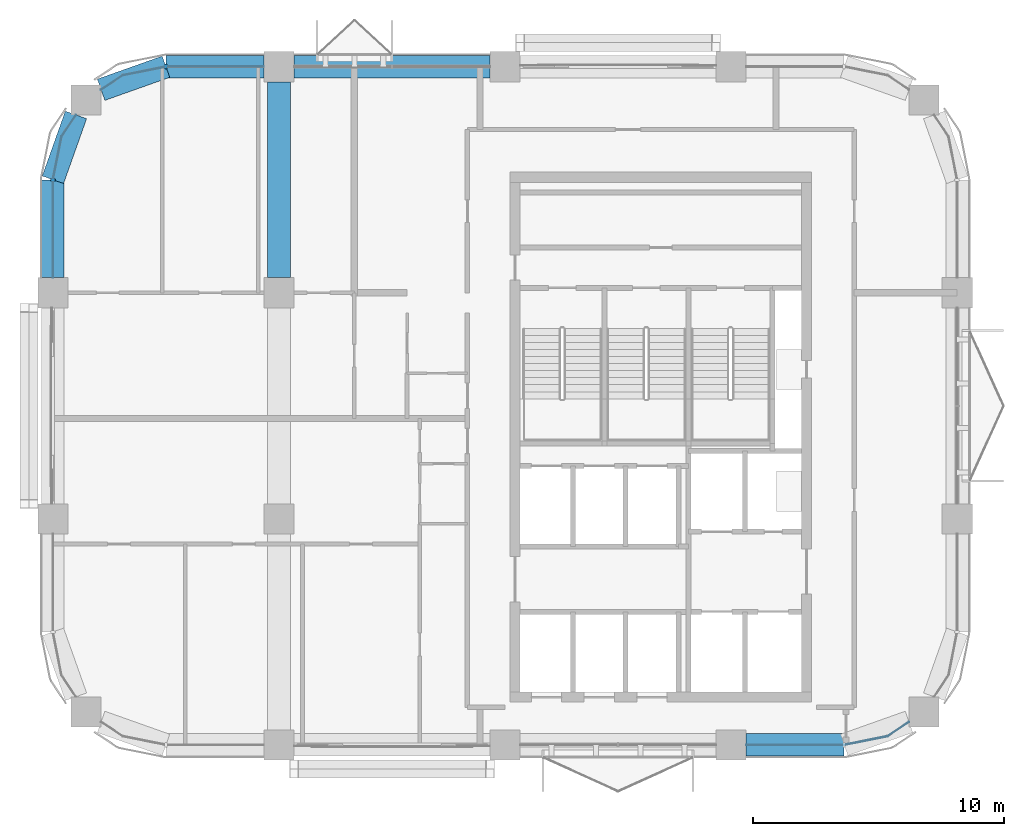
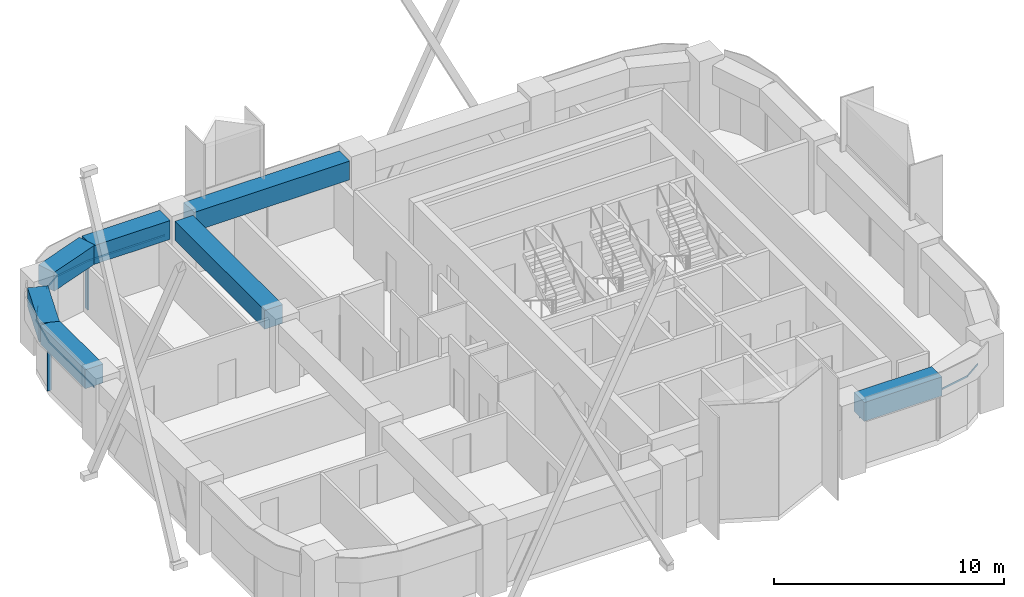
# One storey, part 3 of 11: 7 beams, 5 members, 3 elements without a shape of their own.
"""IFC4 building model written with IfcOpenShell, lengths in metres."""

from ifc_helpers import new_model, si_unit, direction, frame, origin, origin_2d, place, context, subcontext, project, spatial, polyline, rectangle, outline, extrude, material, material_profile, profile_set, type_object, element, aggregate, save


model = new_model("IFC4")

# Units and contexts
model_context = context("Model", 3, precision=1e-05, world=origin(), true_north=direction((0.0, 1.0)))
body_context = subcontext(model_context, "Body", "Model", "MODEL_VIEW")
ifc_project = project(units=[si_unit("LENGTHUNIT", "METRE"), si_unit("AREAUNIT", "SQUARE_METRE"), si_unit("VOLUMEUNIT", "CUBIC_METRE"), si_unit("PLANEANGLEUNIT", "RADIAN"), si_unit("MASSUNIT", "GRAM", prefix="KILO")], contexts=[model_context])

# Site, building, storey
site_placement = place(None, origin())
site = spatial("IfcSite", under=ifc_project, at=site_placement, CompositionType="ELEMENT")
building_placement = place(site_placement, origin())
building = spatial("IfcBuilding", under=site, at=building_placement, Name="Tessera Arch", CompositionType="ELEMENT")
storey_placement = place(building_placement, frame((0.0, 0.0, 250.10009765625)))
storey = spatial("IfcBuildingStorey", under=building, at=storey_placement, Name="L60", CompositionType="ELEMENT", Elevation=250.10009765625)

# Curtain wall, member
ifc_material_1 = material(Name="CW2 curtain wall")
curtain_wall_type = type_object("IfcCurtainWallType", Name="CW2 curtain wall", PredefinedType="NOTDEFINED", material=ifc_material_1)
curtain_wall_1_placement = place(storey_placement, origin())
curtain_wall_1 = element("IfcCurtainWall", 1, at=curtain_wall_1_placement, inside=storey, type_object=curtain_wall_type, Name="CW2 curtain wall N54.18/3 L60", PredefinedType="NOTDEFINED")
ifc_material_2 = material(Name="Anodised aluminium pale metal", Category="aluminium")
ifc_material_profile_1 = material_profile(ifc_material_2, rectangle(XDim=0.199951171875, YDim=0.080078125, at=origin_2d()), Name="AL 80x200")
ifc_profile_set_1 = profile_set([ifc_material_profile_1], Name="Anodised aluminium pale metal")
member_type_1 = type_object("IfcMemberType", Name="CW2 mullion", PredefinedType="MULLION", material=ifc_profile_set_1)
member_1_placement = place(storey_placement, frame((22.5, 54.0, 0.0), z_axis=(0.0, 0.0, 1.0), x_axis=(0.0, -1.0, 0.0)))
member_1 = element("IfcMember", 2, at=member_1_placement, type_object=member_type_1, Name="CW2 mullion N54.18/3 1", PredefinedType="MULLION", context=body_context, shape_type="SweptSolid", body=[
    extrude(rectangle(XDim=0.199951171875, YDim=0.080078125, at=origin_2d()), origin(), (0.0, 0.0, 1.0), 2.5),
])

curtain_wall_2_placement = place(storey_placement, origin())
curtain_wall_2 = element("IfcCurtainWall", 3, at=curtain_wall_2_placement, inside=storey, type_object=curtain_wall_type, Name="CW2 curtain wall W18.27/0 L60", PredefinedType="NOTDEFINED")
member_2_placement = place(storey_placement, frame((18.0, 49.5, 0.0), z_axis=(0.0, 0.0, 1.0), x_axis=(1.0, 0.0, 0.0)))
member_2 = element("IfcMember", 4, at=member_2_placement, type_object=member_type_1, Name="CW2 mullion W18.27/0 1", PredefinedType="MULLION", context=body_context, shape_type="SweptSolid", body=[
    extrude(rectangle(XDim=0.199951171875, YDim=0.080078125, at=origin_2d()), origin(), (0.0, 0.0, 1.0), 2.5),
])

# Member
ifc_material_3 = material(Name="Anodised aluminium pale metal", Category="aluminium")
ifc_material_profile_2 = material_profile(ifc_material_3, rectangle(XDim=0.199951171875, YDim=0.10009765625, at=origin_2d()), Name="AL 200x100")
ifc_profile_set_2 = profile_set([ifc_material_profile_2], Name="Anodised aluminium pale metal")
member_type_2 = type_object("IfcMemberType", Name="CW2 transom", PredefinedType="USERDEFINED", material=ifc_profile_set_2)
member_3_placement = place(storey_placement, frame((0.0, 0.0, 2.5)))
member_3 = element("IfcMember", 5, at=member_3_placement, type_object=member_type_2, Name="CW2 transom N54.18/3 1", ObjectType="TRANSOM", PredefinedType="USERDEFINED", context=body_context, shape_type="SweptSolid", body=[
    extrude(outline(polyline([(22.5009765625, 53.989990234375), (26.39990234375, 53.989990234375), (26.39990234375, 54.010009765625), (22.4990234375, 54.010009765625), (20.77392578125, 53.6669921875), (19.912353515625, 53.09130859375), (19.923583984375, 53.07470703125), (20.78173828125, 53.648193359375), (22.5009765625, 53.989990234375)])), origin(), (0.0, 0.0, 1.0), 0.099853515625),
])

aggregate(curtain_wall_1, [member_1, member_3])

member_4_placement = place(storey_placement, frame((0.0, 0.0, 2.5)))
member_4 = element("IfcMember", 6, at=member_4_placement, type_object=member_type_2, Name="CW2 transom W18.27/0 1", ObjectType="TRANSOM", PredefinedType="USERDEFINED", context=body_context, shape_type="SweptSolid", body=[
    extrude(outline(polyline([(18.351806640625, 51.21826171875), (18.92529296875, 52.076416015625), (18.90869140625, 52.087646484375), (18.3330078125, 51.22607421875), (17.989990234375, 49.5009765625), (17.989990234375, 45.60009765625), (18.010009765625, 45.60009765625), (18.010009765625, 49.4990234375), (18.351806640625, 51.21826171875)])), origin(), (0.0, 0.0, 1.0), 0.099853515625),
])

aggregate(curtain_wall_2, [member_2, member_4])

# Curtain wall, member
curtain_wall_3_placement = place(storey_placement, origin())
curtain_wall_3 = element("IfcCurtainWall", 7, at=curtain_wall_3_placement, inside=storey, type_object=curtain_wall_type, Name="CW2 curtain wall S27.18/3 L60", PredefinedType="NOTDEFINED")
member_5_placement = place(storey_placement, frame((0.0, 0.0, 2.5)))
member_5 = element("IfcMember", 8, at=member_5_placement, type_object=member_type_2, Name="CW2 transom S27.18/3 1", ObjectType="TRANSOM", PredefinedType="USERDEFINED", context=body_context, shape_type="SweptSolid", body=[
    extrude(outline(polyline([(49.4990234375, 27.010009765625), (45.60009765625, 27.010009765625), (45.60009765625, 26.989990234375), (49.5009765625, 26.989990234375), (51.22607421875, 27.3330078125), (52.087646484375, 27.90869140625), (52.076416015625, 27.92529296875), (51.21826171875, 27.351806640625), (49.4990234375, 27.010009765625)])), origin(), (0.0, 0.0, 1.0), 0.099853515625),
])
aggregate(curtain_wall_3, [member_5])

# Beams
ifc_material_4 = material(Name="Concrete C60/75", Category="concrete")
ifc_material_profile_3 = material_profile(ifc_material_4, rectangle(XDim=0.89990234375, YDim=1.0, at=origin_2d()), Name="RC spandrel beam 900 x 1000 Concrete C60/75")
ifc_profile_set_3 = profile_set([ifc_material_profile_3], Name="Concrete C60/75")
beam_type = type_object("IfcBeamType", Name="RC spandrel beam 900 x 1000 Concrete C60/75", PredefinedType="BEAM", material=ifc_profile_set_3)
beam_1_placement = place(storey_placement, frame((35.39990234375, 54.0, 3.099853515625), z_axis=(-1.0, 0.0, 0.0), x_axis=(0.0, -1.0, 0.0)))
element("IfcBeam", 9, at=beam_1_placement, inside=storey, type_object=beam_type, Name="Spandrel beam L60 N54.18/2", PredefinedType="BEAM", context=body_context, shape_type="SweptSolid", body=[
    extrude(rectangle(XDim=0.89990234375, YDim=1.0, at=origin_2d()), origin(), (0.0, 0.0, 1.0), 7.7998046875),
])
beam_2_placement = place(storey_placement, frame((26.39990234375, 54.0, 3.099853515625), z_axis=(-1.0, 0.0, 0.0), x_axis=(0.0, -1.0, 0.0)))
element("IfcBeam", 10, at=beam_2_placement, inside=storey, type_object=beam_type, Name="Spandrel beam L60 N54.18/3.1", PredefinedType="BEAM", context=body_context, shape_type="SweptSolid", body=[
    extrude(rectangle(XDim=0.89990234375, YDim=1.0, at=origin_2d()), origin(), (0.0, 0.0, 1.0), 3.89990234375),
])
for number, where, z_axis, x_axis, name in (
    (11, (22.5, 54.0, 3.099853515625), (-0.942337127159, -0.334665114373, 0.0), (0.334665114373, -0.942337127159, 0.0), "Spandrel beam L60 N54.18/3.2"),
    (12, (18.9169921875, 52.08203125, 3.099853515625), (-0.334665114373, -0.942337127159, 0.0), (0.942337127159, -0.334665114373, 0.0), "Spandrel beam L60 W18.27/0.1"),
):
    element("IfcBeam", number, at=place(storey_placement, frame(where, z_axis=z_axis, x_axis=x_axis)), inside=storey, type_object=beam_type, Name=name, PredefinedType="BEAM", context=body_context, shape_type="SweptSolid", body=[
        extrude(rectangle(XDim=0.89990234375, YDim=1.0, at=origin_2d()), origin(), (0.0, 0.0, 1.0), 2.739990234375),
    ])
for number, where, z_axis, x_axis, name in (
    (13, (18.0, 49.5, 3.099853515625), (0.0, -1.0, 0.0), (1.0, 0.0, 0.0), "Spandrel beam L60 W18.27/0.2"),
    (14, (45.60009765625, 27.0, 3.099853515625), (1.0, 0.0, 0.0), (0.0, 1.0, 0.0), "Spandrel beam L60 S27.18/3.1"),
):
    element("IfcBeam", number, at=place(storey_placement, frame(where, z_axis=z_axis, x_axis=x_axis)), inside=storey, type_object=beam_type, Name=name, PredefinedType="BEAM", context=body_context, shape_type="SweptSolid", body=[
        extrude(rectangle(XDim=0.89990234375, YDim=1.0, at=origin_2d()), origin(), (0.0, 0.0, 1.0), 3.89990234375),
    ])
beam_3_placement = place(storey_placement, frame((27.0, 45.60009765625, 3.099853515625), z_axis=(0.0, 1.0, 0.0), x_axis=(-1.0, 0.0, 0.0)))
element("IfcBeam", 15, at=beam_3_placement, inside=storey, type_object=beam_type, Name="Interface beam L60 I0C4F-C4G", PredefinedType="BEAM", context=body_context, shape_type="SweptSolid", body=[
    extrude(rectangle(XDim=0.89990234375, YDim=1.0, at=origin_2d()), origin(), (0.0, 0.0, 1.0), 7.7998046875),
])

save(model, "model.ifc")
